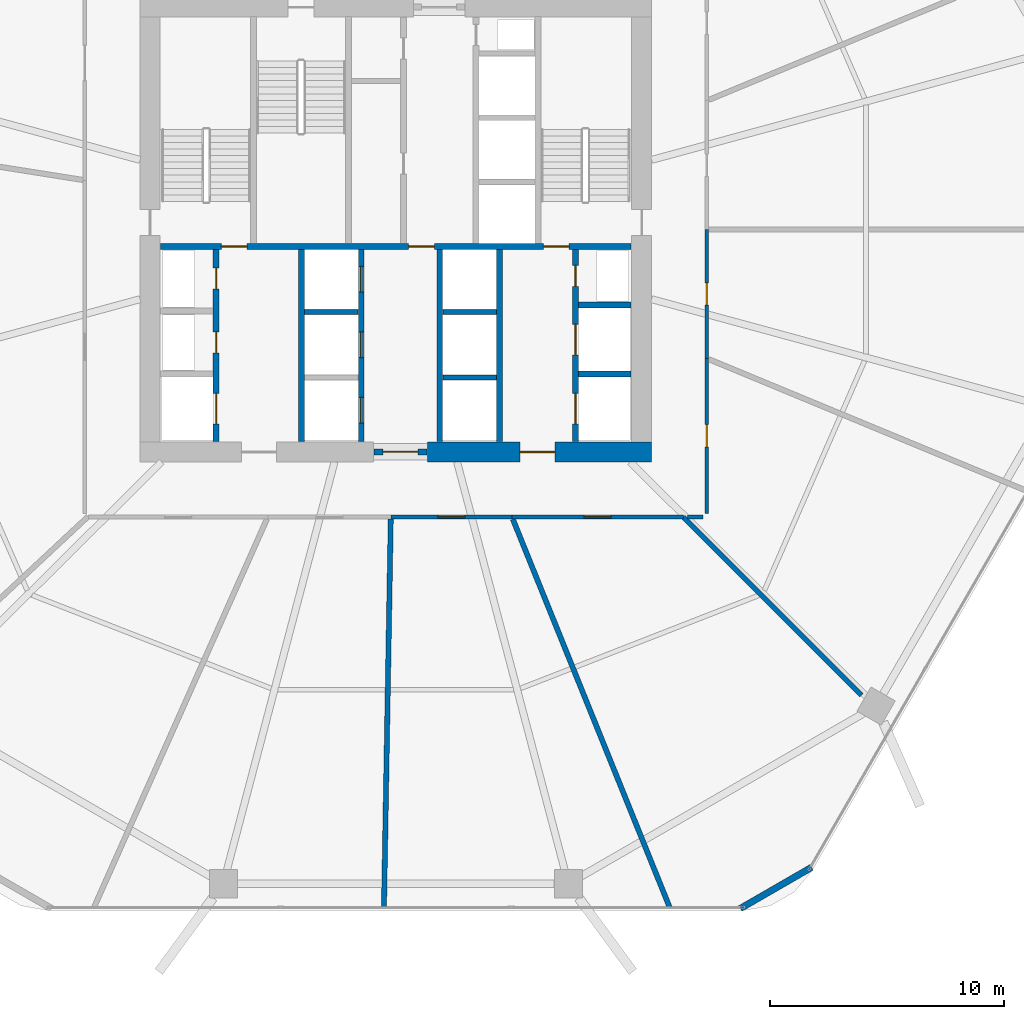
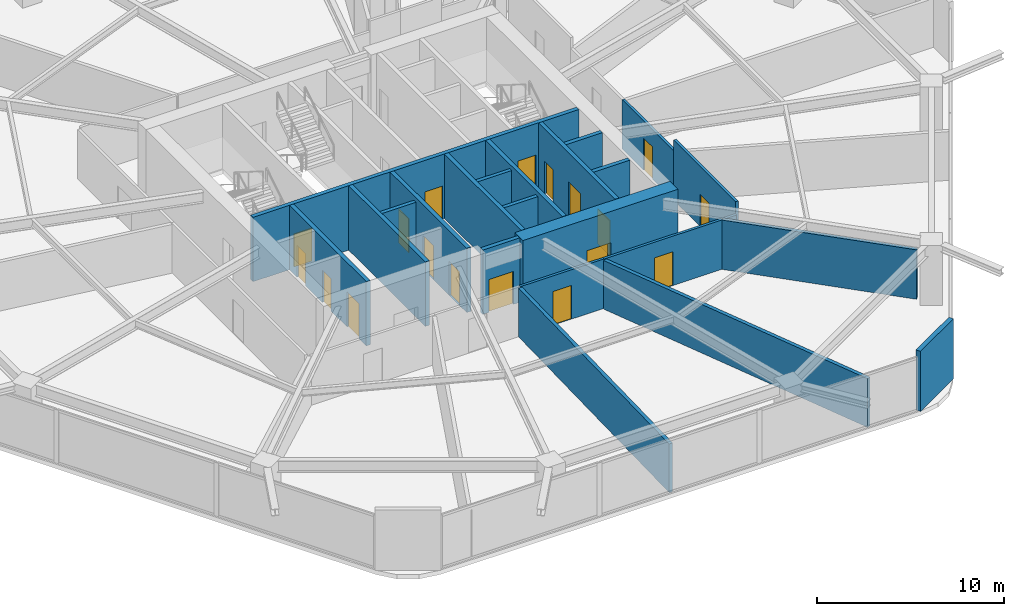
# One storey, part 22 of 25: 23 walls, 18 doors, 18 openings.
"""IFC4 building model written with IfcOpenShell, lengths in metres."""

from ifc_helpers import new_model, si_unit, direction, frame, frame_2d, origin, place, context, subcontext, project, spatial, rectangle, extrude, material, layer, layer_set, type_object, element, fill, save


model = new_model("IFC4")

# Units and contexts
model_context = context("Model", 3, precision=1e-05, world=origin(), true_north=direction((0.0, 1.0)))
body_context = subcontext(model_context, "Body", "Model", "MODEL_VIEW")
ifc_project = project(units=[si_unit("LENGTHUNIT", "METRE"), si_unit("AREAUNIT", "SQUARE_METRE"), si_unit("VOLUMEUNIT", "CUBIC_METRE"), si_unit("PLANEANGLEUNIT", "RADIAN"), si_unit("MASSUNIT", "GRAM", prefix="KILO")], contexts=[model_context])

# Site, building, storey
site_placement = place(None, origin())
site = spatial("IfcSite", under=ifc_project, at=site_placement, CompositionType="ELEMENT")
building_placement = place(site_placement, origin())
building = spatial("IfcBuilding", under=site, at=building_placement, Name="Zuhravey Tower", CompositionType="ELEMENT")
storey_placement = place(building_placement, frame((0.0, 0.0, 70.800048828125)))
storey = spatial("IfcBuildingStorey", under=building, at=storey_placement, Name="L17", CompositionType="ELEMENT", Elevation=70.800048828125)

# Wall, opening, door
ifc_material_1 = material(Name="Concrete C60/75", Category="concrete")
ifc_layer_1 = layer(ifc_material_1, 0.85009765625)
ifc_layer_set_1 = layer_set([ifc_layer_1], Name="Concrete C60/75")
wall_type_1 = type_object("IfcWallType", Name="Core Shear Wall 850", PredefinedType="SHEAR", material=ifc_layer_set_1)
wall_1_placement = place(storey_placement, frame((37.35009765625, 22.5, 0.0), z_axis=(0.0, 0.0, 1.0), x_axis=(1.0, 0.0, 0.0)))
wall_1 = element("IfcWall", 1, at=wall_1_placement, inside=storey, type_object=wall_type_1, Name="L17 South-East Core Shear Wall CW85", PredefinedType="SHEAR", context=body_context, shape_type="SweptSolid", body=[
    extrude(rectangle(XDim=9.574951171875, YDim=0.85009765625, at=frame_2d((4.78759765625, 0.0))), origin(), (0.0, 0.0, 1.0), 4.199951171875),
])
opening_1_placement = place(wall_1_placement, frame((3.949951171875, 0.0, 0.0)))
opening_1 = element("IfcOpeningElement", 2, at=opening_1_placement, cuts=wall_1, Name="Opening FFD1", PredefinedType="OPENING", context=body_context, shape_type="SweptSolid", body=[
    extrude(rectangle(XDim=1.5, YDim=2.14990234375, at=frame_2d((0.75, 1.074951171875))), frame((0.0, 0.43701171875, 0.0), z_axis=(0.0, -1.0, 0.0), x_axis=(1.0, 0.0, 0.0)), (0.0, 0.0, 1.0), 0.8740234375),
])
ifc_material_2 = material(Name="Galvanised fire-rated steel leaf", Category="steel")
door_type_1 = type_object("IfcDoorType", Name="Firefighting Lobby Double Door 1500x2150", OperationType="DOUBLE_DOOR_SINGLE_SWING", PredefinedType="DOOR", material=ifc_material_2)
door_1_placement = place(opening_1_placement, origin())
door_1 = element("IfcDoor", 3, at=door_1_placement, inside=storey, type_object=door_type_1, Name="L17 Firefighting Lobby East Door", OperationType="DOUBLE_DOOR_SINGLE_SWING", OverallHeight=2.14990234375, OverallWidth=1.5, PredefinedType="DOOR", context=body_context, shape_type="SweptSolid", body=[
    extrude(rectangle(XDim=1.5, YDim=2.14990234375, at=frame_2d((0.75, 1.074951171875))), frame((0.0, 0.02490234375, 0.0), z_axis=(0.0, -1.0, 0.0), x_axis=(1.0, 0.0, 0.0)), (0.0, 0.0, 1.0), 0.050048828125),
])
fill(opening_1, door_1)

ifc_material_3 = material(Name="Gypsum fire-rated stud partition")
ifc_layer_2 = layer(ifc_material_3, 0.159912109375)
ifc_layer_set_2 = layer_set([ifc_layer_2], Name="Gypsum fire-rated stud partition")
wall_type_2 = type_object("IfcWallType", Name="Corridor Fire Partition 160", PredefinedType="PARTITIONING", material=ifc_layer_set_2)
wall_2_placement = place(storey_placement, frame((35.78564453125, 19.715087890625, 0.0), z_axis=(0.0, 0.0, 1.0), x_axis=(1.0, 0.0, 0.0)))
wall_2 = element("IfcWall", 4, at=wall_2_placement, inside=storey, type_object=wall_type_2, Name="L17 IW16 Partition 028", PredefinedType="PARTITIONING", context=body_context, shape_type="SweptSolid", body=[
    extrude(rectangle(XDim=5.177734375, YDim=0.159912109375, at=frame_2d((2.5888671875, 0.0))), origin(), (0.0, 0.0, 1.0), 3.219970703125),
])
opening_2_placement = place(wall_2_placement, frame((2.013916015625, 0.0, 0.0)))
opening_2 = element("IfcOpeningElement", 5, at=opening_2_placement, cuts=wall_2, Name="Opening CLD1", PredefinedType="OPENING", context=body_context, shape_type="SweptSolid", body=[
    extrude(rectangle(XDim=1.14990234375, YDim=2.199951171875, at=frame_2d((0.574951171875, 1.10009765625))), frame((0.0, 0.092041015625, 0.0), z_axis=(0.0, -1.0, 0.0), x_axis=(1.0, 0.0, 0.0)), (0.0, 0.0, 1.0), 0.183837890625),
])
ifc_material_4 = material(Name="Acoustic timber leaf with vision lite", Category="wood")
door_type_2 = type_object("IfcDoorType", Name="Classroom Acoustic Door 1150x2200", OperationType="NOTDEFINED", PredefinedType="DOOR", material=ifc_material_4)
door_2_placement = place(opening_2_placement, frame((1.14990234375, 0.0, 0.0), z_axis=(0.0, 0.0, 1.0), x_axis=(-1.0, 0.0, 0.0)))
door_2 = element("IfcDoor", 6, at=door_2_placement, inside=storey, type_object=door_type_2, Name="L17 Door 028.1", OperationType="SINGLE_SWING_RIGHT", OverallHeight=2.199951171875, OverallWidth=1.14990234375, PredefinedType="DOOR", context=body_context, shape_type="SweptSolid", body=[
    extrude(rectangle(XDim=1.14990234375, YDim=2.199951171875, at=frame_2d((0.574951171875, 1.10009765625))), frame((0.0, 0.02490234375, 0.0), z_axis=(0.0, -1.0, 0.0), x_axis=(1.0, 0.0, 0.0)), (0.0, 0.0, 1.0), 0.050048828125),
])
fill(opening_2, door_2)

wall_3_placement = place(storey_placement, frame((40.96337890625, 19.715087890625, 0.0), z_axis=(0.0, 0.0, 1.0), x_axis=(1.0, 0.0, 0.0)))
wall_3 = element("IfcWall", 7, at=wall_3_placement, inside=storey, type_object=wall_type_2, Name="L17 IW16 Partition 029", PredefinedType="PARTITIONING", context=body_context, shape_type="SweptSolid", body=[
    extrude(rectangle(XDim=7.321533203125, YDim=0.159912109375, at=frame_2d((3.66064453125, 0.0))), origin(), (0.0, 0.0, 1.0), 3.219970703125),
])
opening_3_placement = place(wall_3_placement, frame((3.085693359375, 0.0, 0.0)))
opening_3 = element("IfcOpeningElement", 8, at=opening_3_placement, cuts=wall_3, Name="Opening CLD1", PredefinedType="OPENING", context=body_context, shape_type="SweptSolid", body=[
    extrude(rectangle(XDim=1.14990234375, YDim=2.199951171875, at=frame_2d((0.574951171875, 1.10009765625))), frame((0.0, 0.092041015625, 0.0), z_axis=(0.0, -1.0, 0.0), x_axis=(1.0, 0.0, 0.0)), (0.0, 0.0, 1.0), 0.183837890625),
])
door_3_placement = place(opening_3_placement, frame((1.14990234375, 0.0, 0.0), z_axis=(0.0, 0.0, 1.0), x_axis=(-1.0, 0.0, 0.0)))
door_3 = element("IfcDoor", 9, at=door_3_placement, inside=storey, type_object=door_type_2, Name="L17 Door 029.1", OperationType="SINGLE_SWING_LEFT", OverallHeight=2.199951171875, OverallWidth=1.14990234375, PredefinedType="DOOR", context=body_context, shape_type="SweptSolid", body=[
    extrude(rectangle(XDim=1.14990234375, YDim=2.199951171875, at=frame_2d((0.574951171875, 1.10009765625))), frame((0.0, 0.02490234375, 0.0), z_axis=(0.0, -1.0, 0.0), x_axis=(1.0, 0.0, 0.0)), (0.0, 0.0, 1.0), 0.050048828125),
])
fill(opening_3, door_3)

wall_4_placement = place(storey_placement, frame((49.284912109375, 19.875, 0.0), z_axis=(0.0, 0.0, 1.0), x_axis=(0.0, 1.0, 0.0)))
wall_4 = element("IfcWall", 10, at=wall_4_placement, inside=storey, type_object=wall_type_2, Name="L17 IW16 Partition 030", PredefinedType="PARTITIONING", context=body_context, shape_type="SweptSolid", body=[
    extrude(rectangle(XDim=6.622314453125, YDim=0.159912109375, at=frame_2d((3.31103515625, 0.0))), origin(), (0.0, 0.0, 1.0), 3.919921875),
])
opening_4_placement = place(wall_4_placement, frame((2.836181640625, 0.0, 0.0)))
opening_4 = element("IfcOpeningElement", 11, at=opening_4_placement, cuts=wall_4, Name="Opening IND1", PredefinedType="OPENING", context=body_context, shape_type="SweptSolid", body=[
    extrude(rectangle(XDim=0.949951171875, YDim=2.10009765625, at=frame_2d((0.47509765625, 1.050048828125))), frame((0.0, 0.092041015625, 0.0), z_axis=(0.0, -1.0, 0.0), x_axis=(1.0, 0.0, 0.0)), (0.0, 0.0, 1.0), 0.183837890625),
])
ifc_material_5 = material(Name="Painted engineered timber leaf", Category="wood")
door_type_3 = type_object("IfcDoorType", Name="Internal Room & Bedroom Door 950x2100", OperationType="NOTDEFINED", PredefinedType="DOOR", material=ifc_material_5)
door_4_placement = place(opening_4_placement, frame((0.949951171875, 0.0, 0.0), z_axis=(0.0, 0.0, 1.0), x_axis=(-1.0, 0.0, 0.0)))
door_4 = element("IfcDoor", 12, at=door_4_placement, inside=storey, type_object=door_type_3, Name="L17 Door 030.1", OperationType="SINGLE_SWING_RIGHT", OverallHeight=2.10009765625, OverallWidth=0.949951171875, PredefinedType="DOOR", context=body_context, shape_type="SweptSolid", body=[
    extrude(rectangle(XDim=0.949951171875, YDim=2.10009765625, at=frame_2d((0.47509765625, 1.050048828125))), frame((0.0, 0.02490234375, 0.0), z_axis=(0.0, -1.0, 0.0), x_axis=(1.0, 0.0, 0.0)), (0.0, 0.0, 1.0), 0.050048828125),
])
fill(opening_4, door_4)

wall_5_placement = place(storey_placement, frame((49.284912109375, 26.497314453125, 0.0), z_axis=(0.0, 0.0, 1.0), x_axis=(0.0, 1.0, 0.0)))
wall_5 = element("IfcWall", 13, at=wall_5_placement, inside=storey, type_object=wall_type_2, Name="L17 IW16 Partition 031", PredefinedType="PARTITIONING", context=body_context, shape_type="SweptSolid", body=[
    extrude(rectangle(XDim=5.502685546875, YDim=0.159912109375, at=frame_2d((2.75146484375, 0.0))), origin(), (0.0, 0.0, 1.0), 3.219970703125),
])
opening_5_placement = place(wall_5_placement, frame((2.2763671875, 0.0, 0.0)))
opening_5 = element("IfcOpeningElement", 14, at=opening_5_placement, cuts=wall_5, Name="Opening IND1", PredefinedType="OPENING", context=body_context, shape_type="SweptSolid", body=[
    extrude(rectangle(XDim=0.949951171875, YDim=2.10009765625, at=frame_2d((0.47509765625, 1.050048828125))), frame((0.0, 0.092041015625, 0.0), z_axis=(0.0, -1.0, 0.0), x_axis=(1.0, 0.0, 0.0)), (0.0, 0.0, 1.0), 0.183837890625),
])
door_5_placement = place(opening_5_placement, frame((0.949951171875, 0.0, 0.0), z_axis=(0.0, 0.0, 1.0), x_axis=(-1.0, 0.0, 0.0)))
door_5 = element("IfcDoor", 15, at=door_5_placement, inside=storey, type_object=door_type_3, Name="L17 Door 031.1", OperationType="SINGLE_SWING_LEFT", OverallHeight=2.10009765625, OverallWidth=0.949951171875, PredefinedType="DOOR", context=body_context, shape_type="SweptSolid", body=[
    extrude(rectangle(XDim=0.949951171875, YDim=2.10009765625, at=frame_2d((0.47509765625, 1.050048828125))), frame((0.0, 0.02490234375, 0.0), z_axis=(0.0, -1.0, 0.0), x_axis=(1.0, 0.0, 0.0)), (0.0, 0.0, 1.0), 0.050048828125),
])
fill(opening_5, door_5)

# Walls
wall_6_placement = place(storey_placement, frame((48.451904296875, 19.715087890625, 0.0), z_axis=(0.0, 0.0, 1.0), x_axis=(1.0, 0.0, 0.0)))
element("IfcWall", 16, at=wall_6_placement, inside=storey, type_object=wall_type_2, Name="L17 IW16 Partition 057", PredefinedType="PARTITIONING", context=body_context, shape_type="SweptSolid", body=[
    extrude(rectangle(XDim=0.673095703125, YDim=0.159912109375, at=frame_2d((0.33642578125, 0.0))), origin(), (0.0, 0.0, 1.0), 3.219970703125),
])
ifc_material_6 = material(Name="Precast concrete C40/50", Category="concrete")
ifc_layer_3 = layer(ifc_material_6, 0.280029296875)
ifc_layer_set_3 = layer_set([ifc_layer_3], Name="Precast concrete C40/50")
wall_type_3 = type_object("IfcWallType", Name="Crown Architectural Wall 280", PredefinedType="SOLIDWALL", material=ifc_layer_set_3)
wall_7_placement = place(storey_placement, frame((53.76123046875, 4.75146484375, 0.0), z_axis=(0.0, 0.0, 1.0), x_axis=(-0.866007452331, -0.500031091541, 0.0)))
element("IfcWall", 17, at=wall_7_placement, inside=storey, type_object=wall_type_3, Name="L17 Rounded Corner Closure Wall EW28-02", PredefinedType="SOLIDWALL", context=body_context, shape_type="SweptSolid", body=[
    extrude(rectangle(XDim=3.514892578125, YDim=0.280029296875, at=frame_2d((1.75732421875, 0.0))), origin(), (0.0, 0.0, 1.0), 3.919921875),
])

# Wall, opening, door
ifc_material_7 = material(Name="Concrete C50/60", Category="concrete")
ifc_layer_4 = layer(ifc_material_7, 0.25)
ifc_layer_set_4 = layer_set([ifc_layer_4], Name="Concrete C50/60")
wall_type_4 = type_object("IfcWallType", Name="Firefighting Shaft & Stair Wall 250", PredefinedType="SOLIDWALL", material=ifc_layer_set_4)
wall_8_placement = place(storey_placement, frame((35.06005859375, 22.5, 0.0), z_axis=(0.0, 0.0, 1.0), x_axis=(1.0, 0.0, 0.0)))
wall_8 = element("IfcWall", 18, at=wall_8_placement, inside=storey, type_object=wall_type_4, Name="L17 FW25 Shaft Wall 001", PredefinedType="SOLIDWALL", context=body_context, shape_type="SweptSolid", body=[
    extrude(rectangle(XDim=2.280029296875, YDim=0.25, at=frame_2d((1.14013671875, 0.0))), origin(), (0.0, 0.0, 1.0), 4.199951171875),
])
opening_6_placement = place(wall_8_placement, frame((0.389892578125, 0.0, 0.0)))
opening_6 = element("IfcOpeningElement", 19, at=opening_6_placement, cuts=wall_8, Name="Opening FFD1", PredefinedType="OPENING", context=body_context, shape_type="SweptSolid", body=[
    extrude(rectangle(XDim=1.5, YDim=2.14990234375, at=frame_2d((0.75, 1.074951171875))), frame((0.0, 0.136962890625, 0.0), z_axis=(0.0, -1.0, 0.0), x_axis=(1.0, 0.0, 0.0)), (0.0, 0.0, 1.0), 0.27392578125),
])
door_6_placement = place(opening_6_placement, frame((1.5, 0.0, 0.0), z_axis=(0.0, 0.0, 1.0), x_axis=(-1.0, 0.0, 0.0)))
door_6 = element("IfcDoor", 20, at=door_6_placement, inside=storey, type_object=door_type_1, Name="L17 South Lift Lobby Exit Door", OperationType="DOUBLE_DOOR_SINGLE_SWING", OverallHeight=2.14990234375, OverallWidth=1.5, PredefinedType="DOOR", context=body_context, shape_type="SweptSolid", body=[
    extrude(rectangle(XDim=1.5, YDim=2.14990234375, at=frame_2d((0.75, 1.074951171875))), frame((0.0, 0.02490234375, 0.0), z_axis=(0.0, -1.0, 0.0), x_axis=(1.0, 0.0, 0.0)), (0.0, 0.0, 1.0), 0.050048828125),
])
fill(opening_6, door_6)

# Wall, openings, doors
wall_9_placement = place(storey_placement, frame((25.949951171875, 31.27490234375, 0.0), z_axis=(0.0, 0.0, 1.0), x_axis=(1.0, 0.0, 0.0)))
wall_9 = element("IfcWall", 21, at=wall_9_placement, inside=storey, type_object=wall_type_4, Name="L17 FW25 Shaft Wall 003", PredefinedType="SOLIDWALL", context=body_context, shape_type="SweptSolid", body=[
    extrude(rectangle(XDim=20.10009765625, YDim=0.25, at=frame_2d((10.050048828125, 0.0))), origin(), (0.0, 0.0, 1.0), 4.199951171875),
])
opening_7_placement = place(wall_9_placement, frame((2.60009765625, 0.0, 0.0)))
opening_7 = element("IfcOpeningElement", 22, at=opening_7_placement, cuts=wall_9, Name="Opening STD1", PredefinedType="OPENING", context=body_context, shape_type="SweptSolid", body=[
    extrude(rectangle(XDim=1.10009765625, YDim=2.14990234375, at=frame_2d((0.550048828125, 1.074951171875))), frame((0.0, 0.136962890625, 0.0), z_axis=(0.0, -1.0, 0.0), x_axis=(1.0, 0.0, 0.0)), (0.0, 0.0, 1.0), 0.27392578125),
])
opening_8_placement = place(wall_9_placement, frame((10.60009765625, 0.0, 0.0)))
opening_8 = element("IfcOpeningElement", 23, at=opening_8_placement, cuts=wall_9, Name="Opening STD1", PredefinedType="OPENING", context=body_context, shape_type="SweptSolid", body=[
    extrude(rectangle(XDim=1.10009765625, YDim=2.14990234375, at=frame_2d((0.550048828125, 1.074951171875))), frame((0.0, 0.136962890625, 0.0), z_axis=(0.0, -1.0, 0.0), x_axis=(1.0, 0.0, 0.0)), (0.0, 0.0, 1.0), 0.27392578125),
])
opening_9_placement = place(wall_9_placement, frame((16.35009765625, 0.0, 0.0)))
opening_9 = element("IfcOpeningElement", 24, at=opening_9_placement, cuts=wall_9, Name="Opening STD1", PredefinedType="OPENING", context=body_context, shape_type="SweptSolid", body=[
    extrude(rectangle(XDim=1.10009765625, YDim=2.14990234375, at=frame_2d((0.550048828125, 1.074951171875))), frame((0.0, 0.136962890625, 0.0), z_axis=(0.0, -1.0, 0.0), x_axis=(1.0, 0.0, 0.0)), (0.0, 0.0, 1.0), 0.27392578125),
])
door_type_4 = type_object("IfcDoorType", Name="Protected Stair Fire Door 1100x2150", OperationType="NOTDEFINED", PredefinedType="USERDEFINED", material=ifc_material_2)
door_7_placement = place(opening_7_placement, origin())
door_7 = element("IfcDoor", 25, at=door_7_placement, inside=storey, type_object=door_type_4, Name="L17 FFL-W to ST1 Door", ObjectType="EXITDOOR", OperationType="SINGLE_SWING_RIGHT", OverallHeight=2.14990234375, OverallWidth=1.10009765625, PredefinedType="USERDEFINED", context=body_context, shape_type="SweptSolid", body=[
    extrude(rectangle(XDim=1.10009765625, YDim=2.14990234375, at=frame_2d((0.550048828125, 1.074951171875))), frame((0.0, 0.02490234375, 0.0), z_axis=(0.0, -1.0, 0.0), x_axis=(1.0, 0.0, 0.0)), (0.0, 0.0, 1.0), 0.050048828125),
])
fill(opening_7, door_7)
door_8_placement = place(opening_8_placement, origin())
door_8 = element("IfcDoor", 26, at=door_8_placement, inside=storey, type_object=door_type_4, Name="L17 Core Lobby Link Door", ObjectType="EXITDOOR", OperationType="SINGLE_SWING_LEFT", OverallHeight=2.14990234375, OverallWidth=1.10009765625, PredefinedType="USERDEFINED", context=body_context, shape_type="SweptSolid", body=[
    extrude(rectangle(XDim=1.10009765625, YDim=2.14990234375, at=frame_2d((0.550048828125, 1.074951171875))), frame((0.0, 0.02490234375, 0.0), z_axis=(0.0, -1.0, 0.0), x_axis=(1.0, 0.0, 0.0)), (0.0, 0.0, 1.0), 0.050048828125),
])
fill(opening_8, door_8)
door_9_placement = place(opening_9_placement, origin())
door_9 = element("IfcDoor", 27, at=door_9_placement, inside=storey, type_object=door_type_4, Name="L17 FFL-E to ST2 Door", ObjectType="EXITDOOR", OperationType="SINGLE_SWING_RIGHT", OverallHeight=2.14990234375, OverallWidth=1.10009765625, PredefinedType="USERDEFINED", context=body_context, shape_type="SweptSolid", body=[
    extrude(rectangle(XDim=1.10009765625, YDim=2.14990234375, at=frame_2d((0.550048828125, 1.074951171875))), frame((0.0, 0.02490234375, 0.0), z_axis=(0.0, -1.0, 0.0), x_axis=(1.0, 0.0, 0.0)), (0.0, 0.0, 1.0), 0.050048828125),
])
fill(opening_9, door_9)

wall_10_placement = place(storey_placement, frame((28.324951171875, 22.949951171875, 0.0), z_axis=(0.0, 0.0, 1.0), x_axis=(0.0, 1.0, 0.0)))
wall_10 = element("IfcWall", 28, at=wall_10_placement, inside=storey, type_object=wall_type_4, Name="L17 FW25 Shaft Wall 011", PredefinedType="SOLIDWALL", context=body_context, shape_type="SweptSolid", body=[
    extrude(rectangle(XDim=8.199951171875, YDim=0.25, at=frame_2d((4.10009765625, 0.0))), origin(), (0.0, 0.0, 1.0), 4.199951171875),
])
opening_10_placement = place(wall_10_placement, frame((0.75, 0.0, 0.0)))
opening_10 = element("IfcOpeningElement", 29, at=opening_10_placement, cuts=wall_10, Name="Opening LD2", PredefinedType="OPENING", context=body_context, shape_type="SweptSolid", body=[
    extrude(rectangle(XDim=1.300048828125, YDim=2.300048828125, at=frame_2d((0.64990234375, 1.14990234375))), frame((0.0, 0.136962890625, 0.0), z_axis=(0.0, -1.0, 0.0), x_axis=(1.0, 0.0, 0.0)), (0.0, 0.0, 1.0), 0.27392578125),
])
opening_11_placement = place(wall_10_placement, frame((3.780029296875, 0.0, 0.0)))
opening_11 = element("IfcOpeningElement", 30, at=opening_11_placement, cuts=wall_10, Name="Opening RSD1", PredefinedType="OPENING", context=body_context, shape_type="SweptSolid", body=[
    extrude(rectangle(XDim=0.89990234375, YDim=2.10009765625, at=frame_2d((0.449951171875, 1.050048828125))), frame((0.0, 0.136962890625, 0.0), z_axis=(0.0, -1.0, 0.0), x_axis=(1.0, 0.0, 0.0)), (0.0, 0.0, 1.0), 0.27392578125),
])
opening_12_placement = place(wall_10_placement, frame((6.5, 0.0, 0.0)))
opening_12 = element("IfcOpeningElement", 31, at=opening_12_placement, cuts=wall_10, Name="Opening RSD1", PredefinedType="OPENING", context=body_context, shape_type="SweptSolid", body=[
    extrude(rectangle(XDim=0.89990234375, YDim=2.10009765625, at=frame_2d((0.449951171875, 1.050048828125))), frame((0.0, 0.136962890625, 0.0), z_axis=(0.0, -1.0, 0.0), x_axis=(1.0, 0.0, 0.0)), (0.0, 0.0, 1.0), 0.27392578125),
])
ifc_material_8 = material(Name="Brushed stainless steel", Category="steel")
door_type_5 = type_object("IfcDoorType", Name="Freight & Stretcher Lift Sliding Door 1300x2300", OperationType="DOUBLE_DOOR_SLIDING", PredefinedType="DOOR", material=ifc_material_8)
door_10_placement = place(opening_10_placement, frame((1.300048828125, 0.0, 0.0), z_axis=(0.0, 0.0, 1.0), x_axis=(-1.0, 0.0, 0.0)))
door_10 = element("IfcDoor", 32, at=door_10_placement, inside=storey, type_object=door_type_5, Name="L17 Lift FF1 Landing Door", OperationType="DOUBLE_DOOR_SLIDING", OverallHeight=2.300048828125, OverallWidth=1.300048828125, PredefinedType="DOOR", context=body_context, shape_type="SweptSolid", body=[
    extrude(rectangle(XDim=1.300048828125, YDim=2.300048828125, at=frame_2d((0.64990234375, 1.14990234375))), frame((0.0, 0.02490234375, 0.0), z_axis=(0.0, -1.0, 0.0), x_axis=(1.0, 0.0, 0.0)), (0.0, 0.0, 1.0), 0.050048828125),
])
fill(opening_10, door_10)
ifc_material_9 = material(Name="Galvanised fire-rated steel access leaf", Category="steel")
door_type_6 = type_object("IfcDoorType", Name="Riser & Shaft Access Fire Door 900x2100", OperationType="NOTDEFINED", PredefinedType="DOOR", material=ifc_material_9)
door_11_placement = place(opening_11_placement, frame((0.89990234375, 0.0, 0.0), z_axis=(0.0, 0.0, 1.0), x_axis=(-1.0, 0.0, 0.0)))
door_11 = element("IfcDoor", 33, at=door_11_placement, inside=storey, type_object=door_type_6, Name="L17 Electrical Riser Door", OperationType="SINGLE_SWING_RIGHT", OverallHeight=2.10009765625, OverallWidth=0.89990234375, PredefinedType="DOOR", context=body_context, shape_type="SweptSolid", body=[
    extrude(rectangle(XDim=0.89990234375, YDim=2.10009765625, at=frame_2d((0.449951171875, 1.050048828125))), frame((0.0, 0.02490234375, 0.0), z_axis=(0.0, -1.0, 0.0), x_axis=(1.0, 0.0, 0.0)), (0.0, 0.0, 1.0), 0.050048828125),
])
fill(opening_11, door_11)
door_12_placement = place(opening_12_placement, frame((0.89990234375, 0.0, 0.0), z_axis=(0.0, 0.0, 1.0), x_axis=(-1.0, 0.0, 0.0)))
door_12 = element("IfcDoor", 34, at=door_12_placement, inside=storey, type_object=door_type_6, Name="L17 Smoke Shaft Access Door", OperationType="SINGLE_SWING_LEFT", OverallHeight=2.10009765625, OverallWidth=0.89990234375, PredefinedType="DOOR", context=body_context, shape_type="SweptSolid", body=[
    extrude(rectangle(XDim=0.89990234375, YDim=2.10009765625, at=frame_2d((0.449951171875, 1.050048828125))), frame((0.0, 0.02490234375, 0.0), z_axis=(0.0, -1.0, 0.0), x_axis=(1.0, 0.0, 0.0)), (0.0, 0.0, 1.0), 0.050048828125),
])
fill(opening_12, door_12)

# Wall
wall_11_placement = place(storey_placement, frame((31.97509765625, 22.949951171875, 0.0), z_axis=(0.0, 0.0, 1.0), x_axis=(0.0, 1.0, 0.0)))
element("IfcWall", 35, at=wall_11_placement, inside=storey, type_object=wall_type_4, Name="L17 FW25 Shaft Wall 012", PredefinedType="SOLIDWALL", context=body_context, shape_type="SweptSolid", body=[
    extrude(rectangle(XDim=8.199951171875, YDim=0.25, at=frame_2d((4.10009765625, 0.0))), origin(), (0.0, 0.0, 1.0), 4.199951171875),
])

# Wall, openings, doors
wall_12_placement = place(storey_placement, frame((34.52490234375, 22.949951171875, 0.0), z_axis=(0.0, 0.0, 1.0), x_axis=(0.0, 1.0, 0.0)))
wall_12 = element("IfcWall", 36, at=wall_12_placement, inside=storey, type_object=wall_type_4, Name="L17 FW25 Shaft Wall 013", PredefinedType="SOLIDWALL", context=body_context, shape_type="SweptSolid", body=[
    extrude(rectangle(XDim=8.199951171875, YDim=0.25, at=frame_2d((4.10009765625, 0.0))), origin(), (0.0, 0.0, 1.0), 4.199951171875),
])
opening_13_placement = place(wall_12_placement, frame((0.77490234375, 0.0, 0.0)))
opening_13 = element("IfcOpeningElement", 37, at=opening_13_placement, cuts=wall_12, Name="Opening LD1", PredefinedType="OPENING", context=body_context, shape_type="SweptSolid", body=[
    extrude(rectangle(XDim=1.10009765625, YDim=2.199951171875, at=frame_2d((0.550048828125, 1.10009765625))), frame((0.0, 0.136962890625, 0.0), z_axis=(0.0, -1.0, 0.0), x_axis=(1.0, 0.0, 0.0)), (0.0, 0.0, 1.0), 0.27392578125),
])
opening_14_placement = place(wall_12_placement, frame((3.574951171875, 0.0, 0.0)))
opening_14 = element("IfcOpeningElement", 38, at=opening_14_placement, cuts=wall_12, Name="Opening LD1", PredefinedType="OPENING", context=body_context, shape_type="SweptSolid", body=[
    extrude(rectangle(XDim=1.10009765625, YDim=2.199951171875, at=frame_2d((0.550048828125, 1.10009765625))), frame((0.0, 0.136962890625, 0.0), z_axis=(0.0, -1.0, 0.0), x_axis=(1.0, 0.0, 0.0)), (0.0, 0.0, 1.0), 0.27392578125),
])
opening_15_placement = place(wall_12_placement, frame((6.375, 0.0, 0.0)))
opening_15 = element("IfcOpeningElement", 39, at=opening_15_placement, cuts=wall_12, Name="Opening LD1", PredefinedType="OPENING", context=body_context, shape_type="SweptSolid", body=[
    extrude(rectangle(XDim=1.10009765625, YDim=2.199951171875, at=frame_2d((0.550048828125, 1.10009765625))), frame((0.0, 0.136962890625, 0.0), z_axis=(0.0, -1.0, 0.0), x_axis=(1.0, 0.0, 0.0)), (0.0, 0.0, 1.0), 0.27392578125),
])
door_type_7 = type_object("IfcDoorType", Name="Lift Landing Sliding Door 1100x2200", OperationType="DOUBLE_DOOR_SLIDING", PredefinedType="DOOR", material=ifc_material_8)
door_13_placement = place(opening_13_placement, frame((1.10009765625, 0.0, 0.0), z_axis=(0.0, 0.0, 1.0), x_axis=(-1.0, 0.0, 0.0)))
door_13 = element("IfcDoor", 40, at=door_13_placement, inside=storey, type_object=door_type_7, Name="L17 Lift PL1 Landing Door", OperationType="DOUBLE_DOOR_SLIDING", OverallHeight=2.199951171875, OverallWidth=1.10009765625, PredefinedType="DOOR", context=body_context, shape_type="SweptSolid", body=[
    extrude(rectangle(XDim=1.10009765625, YDim=2.199951171875, at=frame_2d((0.550048828125, 1.10009765625))), frame((0.0, 0.02490234375, 0.0), z_axis=(0.0, -1.0, 0.0), x_axis=(1.0, 0.0, 0.0)), (0.0, 0.0, 1.0), 0.050048828125),
])
fill(opening_13, door_13)
door_14_placement = place(opening_14_placement, frame((1.10009765625, 0.0, 0.0), z_axis=(0.0, 0.0, 1.0), x_axis=(-1.0, 0.0, 0.0)))
door_14 = element("IfcDoor", 41, at=door_14_placement, inside=storey, type_object=door_type_7, Name="L17 Lift PL2 Landing Door", OperationType="DOUBLE_DOOR_SLIDING", OverallHeight=2.199951171875, OverallWidth=1.10009765625, PredefinedType="DOOR", context=body_context, shape_type="SweptSolid", body=[
    extrude(rectangle(XDim=1.10009765625, YDim=2.199951171875, at=frame_2d((0.550048828125, 1.10009765625))), frame((0.0, 0.02490234375, 0.0), z_axis=(0.0, -1.0, 0.0), x_axis=(1.0, 0.0, 0.0)), (0.0, 0.0, 1.0), 0.050048828125),
])
fill(opening_14, door_14)
door_15_placement = place(opening_15_placement, frame((1.10009765625, 0.0, 0.0), z_axis=(0.0, 0.0, 1.0), x_axis=(-1.0, 0.0, 0.0)))
door_15 = element("IfcDoor", 42, at=door_15_placement, inside=storey, type_object=door_type_7, Name="L17 Lift PL3 Landing Door", OperationType="DOUBLE_DOOR_SLIDING", OverallHeight=2.199951171875, OverallWidth=1.10009765625, PredefinedType="DOOR", context=body_context, shape_type="SweptSolid", body=[
    extrude(rectangle(XDim=1.10009765625, YDim=2.199951171875, at=frame_2d((0.550048828125, 1.10009765625))), frame((0.0, 0.02490234375, 0.0), z_axis=(0.0, -1.0, 0.0), x_axis=(1.0, 0.0, 0.0)), (0.0, 0.0, 1.0), 0.050048828125),
])
fill(opening_15, door_15)

# Walls
for number, where, z_axis, x_axis, name in (
    (43, (37.875, 22.949951171875, 0.0), (0.0, 0.0, 1.0), (0.0, 1.0, 0.0), "L17 FW25 Shaft Wall 014"),
    (44, (40.425048828125, 22.949951171875, 0.0), (0.0, 0.0, 1.0), (0.0, 1.0, 0.0), "L17 FW25 Shaft Wall 015"),
):
    element("IfcWall", number, at=place(storey_placement, frame(where, z_axis=z_axis, x_axis=x_axis)), inside=storey, type_object=wall_type_4, Name=name, PredefinedType="SOLIDWALL", context=body_context, shape_type="SweptSolid", body=[
        extrude(rectangle(XDim=8.199951171875, YDim=0.25, at=frame_2d((4.10009765625, 0.0))), origin(), (0.0, 0.0, 1.0), 4.199951171875),
    ])
for number, where, z_axis, x_axis, name in (
    (45, (43.800048828125, 25.824951171875, 0.0), (0.0, 0.0, 1.0), (1.0, 0.0, 0.0), "L17 FW25 Shaft Wall 016"),
    (46, (43.800048828125, 28.77490234375, 0.0), (0.0, 0.0, 1.0), (1.0, 0.0, 0.0), "L17 FW25 Shaft Wall 017"),
):
    element("IfcWall", number, at=place(storey_placement, frame(where, z_axis=z_axis, x_axis=x_axis)), inside=storey, type_object=wall_type_4, Name=name, PredefinedType="SOLIDWALL", context=body_context, shape_type="SweptSolid", body=[
        extrude(rectangle(XDim=2.25, YDim=0.25, at=frame_2d((1.125, 0.0))), origin(), (0.0, 0.0, 1.0), 4.199951171875),
    ])

# Wall, openings, doors
wall_13_placement = place(storey_placement, frame((43.675048828125, 22.949951171875, 0.0), z_axis=(0.0, 0.0, 1.0), x_axis=(0.0, 1.0, 0.0)))
wall_13 = element("IfcWall", 47, at=wall_13_placement, inside=storey, type_object=wall_type_4, Name="L17 FW25 Shaft Wall 018", PredefinedType="SOLIDWALL", context=body_context, shape_type="SweptSolid", body=[
    extrude(rectangle(XDim=8.199951171875, YDim=0.25, at=frame_2d((4.10009765625, 0.0))), origin(), (0.0, 0.0, 1.0), 4.199951171875),
])
opening_16_placement = place(wall_13_placement, frame((0.75, 0.0, 0.0)))
opening_16 = element("IfcOpeningElement", 48, at=opening_16_placement, cuts=wall_13, Name="Opening LD2", PredefinedType="OPENING", context=body_context, shape_type="SweptSolid", body=[
    extrude(rectangle(XDim=1.300048828125, YDim=2.300048828125, at=frame_2d((0.64990234375, 1.14990234375))), frame((0.0, 0.136962890625, 0.0), z_axis=(0.0, -1.0, 0.0), x_axis=(1.0, 0.0, 0.0)), (0.0, 0.0, 1.0), 0.27392578125),
])
opening_17_placement = place(wall_13_placement, frame((3.699951171875, 0.0, 0.0)))
opening_17 = element("IfcOpeningElement", 49, at=opening_17_placement, cuts=wall_13, Name="Opening LD2", PredefinedType="OPENING", context=body_context, shape_type="SweptSolid", body=[
    extrude(rectangle(XDim=1.300048828125, YDim=2.300048828125, at=frame_2d((0.64990234375, 1.14990234375))), frame((0.0, 0.136962890625, 0.0), z_axis=(0.0, -1.0, 0.0), x_axis=(1.0, 0.0, 0.0)), (0.0, 0.0, 1.0), 0.27392578125),
])
opening_18_placement = place(wall_13_placement, frame((6.6201171875, 0.0, 0.0)))
opening_18 = element("IfcOpeningElement", 50, at=opening_18_placement, cuts=wall_13, Name="Opening RSD1", PredefinedType="OPENING", context=body_context, shape_type="SweptSolid", body=[
    extrude(rectangle(XDim=0.89990234375, YDim=2.10009765625, at=frame_2d((0.449951171875, 1.050048828125))), frame((0.0, 0.136962890625, 0.0), z_axis=(0.0, -1.0, 0.0), x_axis=(1.0, 0.0, 0.0)), (0.0, 0.0, 1.0), 0.27392578125),
])
door_16_placement = place(opening_16_placement, origin())
door_16 = element("IfcDoor", 51, at=door_16_placement, inside=storey, type_object=door_type_5, Name="L17 Lift FF2 Landing Door", OperationType="DOUBLE_DOOR_SLIDING", OverallHeight=2.300048828125, OverallWidth=1.300048828125, PredefinedType="DOOR", context=body_context, shape_type="SweptSolid", body=[
    extrude(rectangle(XDim=1.300048828125, YDim=2.300048828125, at=frame_2d((0.64990234375, 1.14990234375))), frame((0.0, 0.02490234375, 0.0), z_axis=(0.0, -1.0, 0.0), x_axis=(1.0, 0.0, 0.0)), (0.0, 0.0, 1.0), 0.050048828125),
])
fill(opening_16, door_16)
door_17_placement = place(opening_17_placement, origin())
door_17 = element("IfcDoor", 52, at=door_17_placement, inside=storey, type_object=door_type_5, Name="L17 Lift SV1 Landing Door", OperationType="DOUBLE_DOOR_SLIDING", OverallHeight=2.300048828125, OverallWidth=1.300048828125, PredefinedType="DOOR", context=body_context, shape_type="SweptSolid", body=[
    extrude(rectangle(XDim=1.300048828125, YDim=2.300048828125, at=frame_2d((0.64990234375, 1.14990234375))), frame((0.0, 0.02490234375, 0.0), z_axis=(0.0, -1.0, 0.0), x_axis=(1.0, 0.0, 0.0)), (0.0, 0.0, 1.0), 0.050048828125),
])
fill(opening_17, door_17)
door_18_placement = place(opening_18_placement, origin())
door_18 = element("IfcDoor", 53, at=door_18_placement, inside=storey, type_object=door_type_6, Name="L17 Plumbing Riser Door", OperationType="SINGLE_SWING_RIGHT", OverallHeight=2.10009765625, OverallWidth=0.89990234375, PredefinedType="DOOR", context=body_context, shape_type="SweptSolid", body=[
    extrude(rectangle(XDim=0.89990234375, YDim=2.10009765625, at=frame_2d((0.449951171875, 1.050048828125))), frame((0.0, 0.02490234375, 0.0), z_axis=(0.0, -1.0, 0.0), x_axis=(1.0, 0.0, 0.0)), (0.0, 0.0, 1.0), 0.050048828125),
])
fill(opening_18, door_18)

# Walls
ifc_material_10 = material(Name="Gypsum acoustic stud assembly")
ifc_layer_5 = layer(ifc_material_10, 0.219970703125)
ifc_layer_set_5 = layer_set([ifc_layer_5], Name="Gypsum acoustic stud assembly")
wall_type_5 = type_object("IfcWallType", Name="School Acoustic Compartment Wall 220", PredefinedType="PARTITIONING", material=ifc_layer_set_5)
wall_14_placement = place(storey_placement, frame((32.10791015625, 28.47509765625, 0.0), z_axis=(0.0, 0.0, 1.0), x_axis=(1.0, 0.0, 0.0)))
element("IfcWall", 54, at=wall_14_placement, inside=storey, type_object=wall_type_5, Name="L17 IW22 Partition 039", PredefinedType="PARTITIONING", context=body_context, shape_type="SweptSolid", body=[
    extrude(rectangle(XDim=2.2841796875, YDim=0.219970703125, at=frame_2d((1.14208984375, 0.0))), origin(), (0.0, 0.0, 1.0), 3.919921875),
])
for number, where, z_axis, x_axis, name in (
    (55, (38.008056640625, 25.675048828125, 0.0), (0.0, 0.0, 1.0), (1.0, 0.0, 0.0), "L17 IW22 Partition 040"),
    (56, (38.008056640625, 28.47509765625, 0.0), (0.0, 0.0, 1.0), (1.0, 0.0, 0.0), "L17 IW22 Partition 041"),
):
    element("IfcWall", number, at=place(storey_placement, frame(where, z_axis=z_axis, x_axis=x_axis)), inside=storey, type_object=wall_type_5, Name=name, PredefinedType="PARTITIONING", context=body_context, shape_type="SweptSolid", body=[
        extrude(rectangle(XDim=2.283935546875, YDim=0.219970703125, at=frame_2d((1.14208984375, 0.0))), origin(), (0.0, 0.0, 1.0), 3.919921875),
    ])
wall_15_placement = place(storey_placement, frame((35.783935546875, 19.626953125, 0.0), z_axis=(0.0, 0.0, 1.0), x_axis=(-0.01745546123, -0.99984764183, 0.0)))
element("IfcWall", 57, at=wall_15_placement, inside=storey, type_object=wall_type_5, Name="L17 IW22 Partition 053", PredefinedType="PARTITIONING", context=body_context, shape_type="SweptSolid", body=[
    extrude(rectangle(XDim=16.587890625, YDim=0.219970703125, at=frame_2d((8.2939453125, 0.0))), origin(), (0.0, 0.0, 1.0), 3.169921875),
])
wall_16_placement = place(storey_placement, frame((40.9990234375, 19.626953125, 0.0), z_axis=(0.0, 0.0, 1.0), x_axis=(0.374605213306, -0.927184412166, 0.0)))
element("IfcWall", 58, at=wall_16_placement, inside=storey, type_object=wall_type_5, Name="L17 IW22 Partition 054", PredefinedType="PARTITIONING", context=body_context, shape_type="SweptSolid", body=[
    extrude(rectangle(XDim=17.887939453125, YDim=0.219970703125, at=frame_2d((8.94384765625, 0.0))), origin(), (0.0, 0.0, 1.0), 3.169921875),
])
wall_17_placement = place(storey_placement, frame((48.284912109375, 19.715087890625, 0.0), z_axis=(0.0, 0.0, 1.0), x_axis=(0.707106781187, -0.707106781187, 0.0)))
element("IfcWall", 59, at=wall_17_placement, inside=storey, type_object=wall_type_5, Name="L17 IW22 Partition 055", PredefinedType="PARTITIONING", context=body_context, shape_type="SweptSolid", body=[
    extrude(rectangle(XDim=10.767822265625, YDim=0.219970703125, at=frame_2d((5.3837890625, 0.0))), origin(), (0.0, 0.0, 1.0), 3.219970703125),
])

save(model, "model.ifc")
